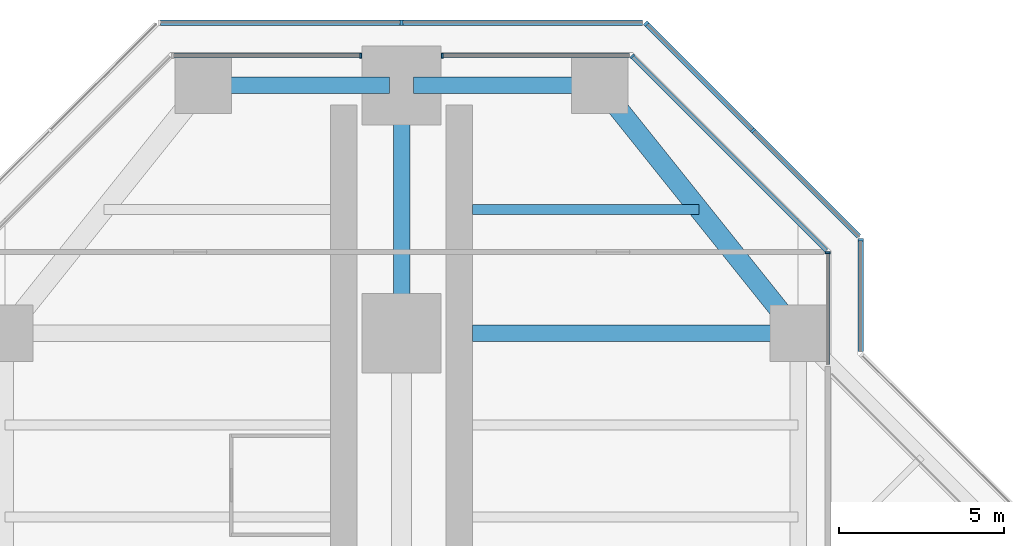
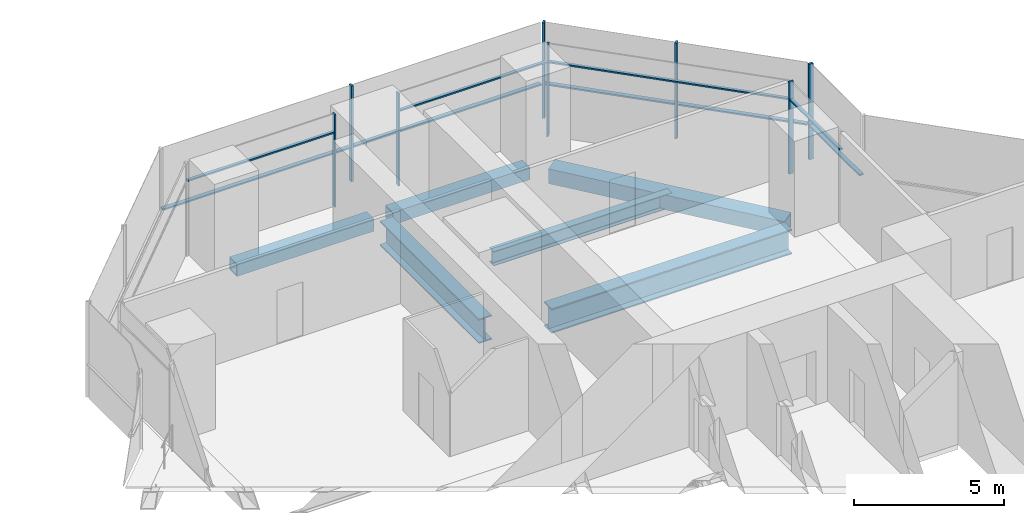
# One storey, part 10 of 19: 17 members, 6 beams, 7 elements without a shape of their own.
"""IFC4 building model written with IfcOpenShell, lengths in metres."""

from ifc_helpers import new_model, si_unit, direction, frame, origin, origin_2d, place, context, subcontext, project, spatial, rectangle, hollow_rectangle, i_section, extrude, material, material_profile, profile_set, type_object, element, aggregate, save


model = new_model("IFC4")

# Units and contexts
model_context = context("Model", 3, precision=1e-05, world=origin(), true_north=direction((0.0, 1.0)))
body_context = subcontext(model_context, "Body", "Model", "MODEL_VIEW")
ifc_project = project(units=[si_unit("LENGTHUNIT", "METRE"), si_unit("AREAUNIT", "SQUARE_METRE"), si_unit("VOLUMEUNIT", "CUBIC_METRE"), si_unit("PLANEANGLEUNIT", "RADIAN"), si_unit("MASSUNIT", "GRAM", prefix="KILO")], contexts=[model_context])

# Site, building, storey
site_placement = place(None, origin())
site = spatial("IfcSite", under=ifc_project, at=site_placement, CompositionType="ELEMENT")
building_placement = place(site_placement, origin())
building = spatial("IfcBuilding", under=site, at=building_placement, Name="Mizan Broadcast Tower", CompositionType="ELEMENT")
storey_placement = place(building_placement, frame((0.0, 0.0, 167.10009765625)))
storey = spatial("IfcBuildingStorey", under=building, at=storey_placement, Name="L38", CompositionType="ELEMENT", Elevation=167.10009765625)

# Beams
ifc_material_1 = material(Name="Steel S355", Category="steel")
ifc_material_profile_1 = material_profile(ifc_material_1, hollow_rectangle(XDim=0.5, YDim=0.5, WallThickness=0.030029296875, at=origin_2d()), Name="BOX 500x500x30")
ifc_profile_set_1 = profile_set([ifc_material_profile_1], Name="Steel S355")
beam_type_1 = type_object("IfcBeamType", Name="EDGE BEAM BOX 500x500x30", PredefinedType="SPANDREL", material=ifc_profile_set_1)
for number, where, z_axis, x_axis, name in (
    (1, (5.639892578125, 27.0, -0.380126953125), (-1.0, 0.0, 0.0), (0.0, -1.0, 0.0), "Edge beam BOX 500x500x30 L38 north arm"),
    (2, (-5.639892578125, 27.0, -0.380126953125), (1.0, 0.0, 0.0), (0.0, 1.0, 0.0), "Edge beam BOX 500x500x30 L38 north arm"),
):
    element("IfcBeam", number, at=place(storey_placement, frame(where, z_axis=z_axis, x_axis=x_axis)), inside=storey, type_object=beam_type_1, Name=name, PredefinedType="SPANDREL", context=body_context, shape_type="SweptSolid", body=[
        extrude(hollow_rectangle(XDim=0.5, YDim=0.5, WallThickness=0.030029296875, at=origin_2d()), origin(), (0.0, 0.0, 1.0), 5.27978515625),
    ])
ifc_material_2 = material(Name="Steel S355", Category="steel")
ifc_material_profile_2 = material_profile(ifc_material_2, hollow_rectangle(XDim=0.60009765625, YDim=0.60009765625, WallThickness=0.030029296875, at=origin_2d()), Name="BOX 600x600x30")
ifc_profile_set_2 = profile_set([ifc_material_profile_2], Name="Steel S355")
beam_type_2 = type_object("IfcBeamType", Name="EDGE BEAM BOX 600x600x30", PredefinedType="SPANDREL", material=ifc_profile_set_2)
beam_1_placement = place(storey_placement, frame((11.639892578125, 19.949951171875, -0.43017578125), z_axis=(-0.624673911726, 0.780885717636, 0.0), x_axis=(-0.780885717636, -0.624673911726, 0.0)))
element("IfcBeam", 3, at=beam_1_placement, inside=storey, type_object=beam_type_2, Name="Edge beam BOX 600x600x30 L38 north arm", PredefinedType="SPANDREL", context=body_context, shape_type="SweptSolid", body=[
    extrude(hollow_rectangle(XDim=0.60009765625, YDim=0.60009765625, WallThickness=0.030029296875, at=origin_2d()), origin(), (0.0, 0.0, 1.0), 8.4521484375),
])
ifc_material_3 = material(Name="Steel S460", Category="steel")
ifc_material_profile_3 = material_profile(ifc_material_3, i_section(OverallWidth=0.5, OverallDepth=1.0, WebThickness=0.02490234375, FlangeThickness=0.050048828125, at=origin_2d()), Name="WPG 1000x500")
ifc_profile_set_3 = profile_set([ifc_material_profile_3], Name="Steel S460")
beam_type_3 = type_object("IfcBeamType", Name="GIRDER WPG 1000x500", PredefinedType="BEAM", material=ifc_profile_set_3)
beam_2_placement = place(storey_placement, frame((0.0, 19.949951171875, -0.630126953125), z_axis=(0.0, 1.0, 0.0), x_axis=(-1.0, 0.0, 0.0)))
element("IfcBeam", 4, at=beam_2_placement, inside=storey, type_object=beam_type_3, Name="Girder WPG 1000x500 L38 north arm", PredefinedType="BEAM", context=body_context, shape_type="SweptSolid", body=[
    extrude(i_section(OverallWidth=0.5, OverallDepth=1.0, WebThickness=0.02490234375, FlangeThickness=0.050048828125, at=origin_2d()), origin(), (0.0, 0.0, 1.0), 6.60009765625),
])
beam_3_placement = place(storey_placement, frame((11.408935546875, 19.5, -0.630126953125), z_axis=(-1.0, 0.0, 0.0), x_axis=(0.0, -1.0, 0.0)))
element("IfcBeam", 5, at=beam_3_placement, inside=storey, type_object=beam_type_3, Name="Girder WPG 1000x500 L38 north arm", PredefinedType="BEAM", context=body_context, shape_type="SweptSolid", body=[
    extrude(i_section(OverallWidth=0.5, OverallDepth=1.0, WebThickness=0.02490234375, FlangeThickness=0.050048828125, at=origin_2d()), origin(), (0.0, 0.0, 1.0), 9.259033203125),
])

# Curtain wall, member
ifc_material_4 = material(Name="Aluminium framed glazing", Category="aluminium")
curtain_wall_type_1 = type_object("IfcCurtainWallType", Name="INNER SKIN MID ZONE", PredefinedType="USERDEFINED", material=ifc_material_4)
curtain_wall_1_placement = place(storey_placement, origin())
curtain_wall_1 = element("IfcCurtainWall", 6, at=curtain_wall_1_placement, inside=storey, type_object=curtain_wall_type_1, Name="Inner skin mid zone L38 N side", ObjectType="INNER SKIN MID ZONE", PredefinedType="USERDEFINED")
ifc_material_5 = material(Name="Aluminium, pale anodised", Category="aluminium")
ifc_material_profile_4 = material_profile(ifc_material_5, rectangle(XDim=0.159912109375, YDim=0.06005859375, at=origin_2d()), Name="MULLION 160x60")
ifc_profile_set_4 = profile_set([ifc_material_profile_4], Name="Aluminium, pale anodised")
member_type_1 = type_object("IfcMemberType", Name="INNER SKIN MULLION 60x160", PredefinedType="MULLION", material=ifc_profile_set_4)
member_1_placement = place(storey_placement, frame((12.89990234375, 21.928466796875, 0.0), z_axis=(0.0, 0.0, 1.0), x_axis=(-1.0, 0.0, 0.0)))
member_1 = element("IfcMember", 7, at=member_1_placement, type_object=member_type_1, Name="Inner skin mid zone L38 N side mullion 2", PredefinedType="MULLION", context=body_context, shape_type="SweptSolid", body=[
    extrude(rectangle(XDim=0.159912109375, YDim=0.06005859375, at=origin_2d()), origin(), (0.0, 0.0, 1.0), 3.77001953125),
])

curtain_wall_2_placement = place(storey_placement, origin())
curtain_wall_2 = element("IfcCurtainWall", 8, at=curtain_wall_2_placement, inside=storey, type_object=curtain_wall_type_1, Name="Inner skin mid zone L38 N chamfer", ObjectType="INNER SKIN MID ZONE", PredefinedType="USERDEFINED")
member_2_placement = place(storey_placement, frame((6.979736328125, 27.87890625, 0.0), z_axis=(0.0, 0.0, 1.0), x_axis=(-0.707106781187, -0.707106781187, 0.0)))
member_2 = element("IfcMember", 9, at=member_2_placement, type_object=member_type_1, Name="Inner skin mid zone L38 N chamfer mullion 2", PredefinedType="MULLION", context=body_context, shape_type="SweptSolid", body=[
    extrude(rectangle(XDim=0.159912109375, YDim=0.06005859375, at=origin_2d()), origin(), (0.0, 0.0, 1.0), 3.77001953125),
])

curtain_wall_3_placement = place(storey_placement, origin())
curtain_wall_3 = element("IfcCurtainWall", 10, at=curtain_wall_3_placement, inside=storey, type_object=curtain_wall_type_1, Name="Inner skin mid zone L38 N end", ObjectType="INNER SKIN MID ZONE", PredefinedType="USERDEFINED")
member_3_placement = place(storey_placement, frame((1.22998046875, 27.89990234375, 0.0), z_axis=(0.0, 0.0, 1.0), x_axis=(0.0, -1.0, 0.0)))
member_3 = element("IfcMember", 11, at=member_3_placement, type_object=member_type_1, Name="Inner skin mid zone L38 N end mullion 2", PredefinedType="MULLION", context=body_context, shape_type="SweptSolid", body=[
    extrude(rectangle(XDim=0.159912109375, YDim=0.06005859375, at=origin_2d()), origin(), (0.0, 0.0, 1.0), 3.77001953125),
])

curtain_wall_4_placement = place(storey_placement, origin())
curtain_wall_4 = element("IfcCurtainWall", 12, at=curtain_wall_4_placement, inside=storey, type_object=curtain_wall_type_1, Name="Inner skin mid zone L38 N end", ObjectType="INNER SKIN MID ZONE", PredefinedType="USERDEFINED")
member_4_placement = place(storey_placement, frame((-1.22998046875, 27.89990234375, 0.0), z_axis=(0.0, 0.0, 1.0), x_axis=(0.0, -1.0, 0.0)))
member_4 = element("IfcMember", 13, at=member_4_placement, type_object=member_type_1, Name="Inner skin mid zone L38 N end mullion 1", PredefinedType="MULLION", context=body_context, shape_type="SweptSolid", body=[
    extrude(rectangle(XDim=0.159912109375, YDim=0.06005859375, at=origin_2d()), origin(), (0.0, 0.0, 1.0), 3.77001953125),
])

# Member
ifc_material_6 = material(Name="Aluminium, pale anodised", Category="aluminium")
ifc_material_profile_5 = material_profile(ifc_material_6, rectangle(XDim=0.1201171875, YDim=0.06005859375, at=origin_2d()), Name="TRANSOM 120x60")
ifc_profile_set_5 = profile_set([ifc_material_profile_5], Name="Aluminium, pale anodised")
member_type_2 = type_object("IfcMemberType", Name="INNER SKIN TRANSOM 60x120", PredefinedType="USERDEFINED", material=ifc_profile_set_5)
member_5_placement = place(storey_placement, frame((12.89990234375, 18.56005859375, 3.02978515625), z_axis=(0.0, 1.0, 0.0), x_axis=(-1.0, 0.0, 0.0)))
member_5 = element("IfcMember", 14, at=member_5_placement, type_object=member_type_2, Name="Inner skin mid zone L38 N side transom 1.1", ObjectType="TRANSOM", PredefinedType="USERDEFINED", context=body_context, shape_type="SweptSolid", body=[
    extrude(rectangle(XDim=0.1201171875, YDim=0.06005859375, at=origin_2d()), origin(), (0.0, 0.0, 1.0), 3.338623046875),
])

aggregate(curtain_wall_1, [member_1, member_5])

member_6_placement = place(storey_placement, frame((12.857666015625, 22.0009765625, 3.02978515625), z_axis=(-0.707106781187, 0.707106781187, 0.0), x_axis=(-0.707106781187, -0.707106781187, 0.0)))
member_6 = element("IfcMember", 15, at=member_6_placement, type_object=member_type_2, Name="Inner skin mid zone L38 N chamfer transom 1.1", ObjectType="TRANSOM", PredefinedType="USERDEFINED", context=body_context, shape_type="SweptSolid", body=[
    extrude(rectangle(XDim=0.1201171875, YDim=0.06005859375, at=origin_2d()), origin(), (0.0, 0.0, 1.0), 8.28271484375),
])

aggregate(curtain_wall_2, [member_2, member_6])

member_7_placement = place(storey_placement, frame((6.898681640625, 27.89990234375, 3.02978515625), z_axis=(-1.0, 0.0, 0.0), x_axis=(0.0, -1.0, 0.0)))
member_7 = element("IfcMember", 16, at=member_7_placement, type_object=member_type_2, Name="Inner skin mid zone L38 N end transom 1.1", ObjectType="TRANSOM", PredefinedType="USERDEFINED", context=body_context, shape_type="SweptSolid", body=[
    extrude(rectangle(XDim=0.1201171875, YDim=0.06005859375, at=origin_2d()), origin(), (0.0, 0.0, 1.0), 5.638671875),
])

aggregate(curtain_wall_3, [member_3, member_7])

member_8_placement = place(storey_placement, frame((-1.260009765625, 27.89990234375, 3.02978515625), z_axis=(-1.0, 0.0, 0.0), x_axis=(0.0, -1.0, 0.0)))
member_8 = element("IfcMember", 17, at=member_8_placement, type_object=member_type_2, Name="Inner skin mid zone L38 N end transom 1.1", ObjectType="TRANSOM", PredefinedType="USERDEFINED", context=body_context, shape_type="SweptSolid", body=[
    extrude(rectangle(XDim=0.1201171875, YDim=0.06005859375, at=origin_2d()), origin(), (0.0, 0.0, 1.0), 5.638671875),
])

aggregate(curtain_wall_4, [member_4, member_8])

# Curtain wall, member
ifc_material_7 = material(Name="Aluminium framed glazing", Category="aluminium")
curtain_wall_type_2 = type_object("IfcCurtainWallType", Name="OUTER SKIN", PredefinedType="USERDEFINED", material=ifc_material_7)
curtain_wall_5_placement = place(storey_placement, origin())
curtain_wall_5 = element("IfcCurtainWall", 18, at=curtain_wall_5_placement, inside=storey, type_object=curtain_wall_type_2, Name="Outer skin L38 N side", ObjectType="OUTER SKIN", PredefinedType="USERDEFINED")
ifc_material_8 = material(Name="Aluminium, pale anodised", Category="aluminium")
ifc_material_profile_6 = material_profile(ifc_material_8, rectangle(XDim=0.159912109375, YDim=0.080078125, at=origin_2d()), Name="MULLION 160x80")
ifc_profile_set_6 = profile_set([ifc_material_profile_6], Name="Aluminium, pale anodised")
member_type_3 = type_object("IfcMemberType", Name="OUTER SKIN MULLION 80x160", PredefinedType="MULLION", material=ifc_profile_set_6)
member_9_placement = place(storey_placement, frame((13.89990234375, 22.332763671875, 0.0), z_axis=(0.0, 0.0, 1.0), x_axis=(-1.0, 0.0, 0.0)))
member_9 = element("IfcMember", 19, at=member_9_placement, type_object=member_type_3, Name="Outer skin L38 N side mullion 2", PredefinedType="MULLION", context=body_context, shape_type="SweptSolid", body=[
    extrude(rectangle(XDim=0.159912109375, YDim=0.080078125, at=origin_2d()), origin(), (0.0, 0.0, 1.0), 3.89990234375),
])

# Curtain wall, members
curtain_wall_6_placement = place(storey_placement, origin())
curtain_wall_6 = element("IfcCurtainWall", 20, at=curtain_wall_6_placement, inside=storey, type_object=curtain_wall_type_2, Name="Outer skin L38 N chamfer", ObjectType="OUTER SKIN", PredefinedType="USERDEFINED")
member_10_placement = place(storey_placement, frame((10.636474609375, 25.636474609375, 0.0), z_axis=(0.0, 0.0, 1.0), x_axis=(-0.707106781187, -0.707106781187, 0.0)))
member_10 = element("IfcMember", 21, at=member_10_placement, type_object=member_type_3, Name="Outer skin L38 N chamfer mullion 2", PredefinedType="MULLION", context=body_context, shape_type="SweptSolid", body=[
    extrude(rectangle(XDim=0.159912109375, YDim=0.080078125, at=origin_2d()), origin(), (0.0, 0.0, 1.0), 3.89990234375),
])
member_11_placement = place(storey_placement, frame((7.401123046875, 28.871826171875, 0.0), z_axis=(0.0, 0.0, 1.0), x_axis=(-0.707106781187, -0.707106781187, 0.0)))
member_11 = element("IfcMember", 22, at=member_11_placement, type_object=member_type_3, Name="Outer skin L38 N chamfer mullion 3", PredefinedType="MULLION", context=body_context, shape_type="SweptSolid", body=[
    extrude(rectangle(XDim=0.159912109375, YDim=0.080078125, at=origin_2d()), origin(), (0.0, 0.0, 1.0), 3.89990234375),
])

# Curtain wall, member
curtain_wall_7_placement = place(storey_placement, origin())
curtain_wall_7 = element("IfcCurtainWall", 23, at=curtain_wall_7_placement, inside=storey, type_object=curtain_wall_type_2, Name="Outer skin L38 N end", ObjectType="OUTER SKIN", PredefinedType="USERDEFINED")
member_12_placement = place(storey_placement, frame((0.0, 28.89990234375, 0.0), z_axis=(0.0, 0.0, 1.0), x_axis=(0.0, -1.0, 0.0)))
member_12 = element("IfcMember", 24, at=member_12_placement, type_object=member_type_3, Name="Outer skin L38 N end mullion 2", PredefinedType="MULLION", context=body_context, shape_type="SweptSolid", body=[
    extrude(rectangle(XDim=0.159912109375, YDim=0.080078125, at=origin_2d()), origin(), (0.0, 0.0, 1.0), 3.89990234375),
])

# Member
ifc_material_9 = material(Name="Aluminium, pale anodised", Category="aluminium")
ifc_material_profile_7 = material_profile(ifc_material_9, rectangle(XDim=0.159912109375, YDim=0.06005859375, at=origin_2d()), Name="TRANSOM 160x60")
ifc_profile_set_7 = profile_set([ifc_material_profile_7], Name="Aluminium, pale anodised")
member_type_4 = type_object("IfcMemberType", Name="OUTER SKIN TRANSOM 60x160", PredefinedType="USERDEFINED", material=ifc_profile_set_7)
member_13_placement = place(storey_placement, frame((13.89990234375, 18.952880859375, 1.39990234375), z_axis=(0.0, 1.0, 0.0), x_axis=(-1.0, 0.0, 0.0)))
member_13 = element("IfcMember", 25, at=member_13_placement, type_object=member_type_4, Name="Outer skin L38 N side transom 1.1", ObjectType="TRANSOM", PredefinedType="USERDEFINED", context=body_context, shape_type="SweptSolid", body=[
    extrude(rectangle(XDim=0.159912109375, YDim=0.06005859375, at=origin_2d()), origin(), (0.0, 0.0, 1.0), 3.33984375),
])

aggregate(curtain_wall_5, [member_9, member_13])

member_14_placement = place(storey_placement, frame((13.843505859375, 22.429443359375, 1.39990234375), z_axis=(-0.707106781187, 0.707106781187, 0.0), x_axis=(-0.707106781187, -0.707106781187, 0.0)))
member_14 = element("IfcMember", 26, at=member_14_placement, type_object=member_type_4, Name="Outer skin L38 N chamfer transom 1.1", ObjectType="TRANSOM", PredefinedType="USERDEFINED", context=body_context, shape_type="SweptSolid", body=[
    extrude(rectangle(XDim=0.159912109375, YDim=0.06005859375, at=origin_2d()), origin(), (0.0, 0.0, 1.0), 4.495361328125),
])

member_15_placement = place(storey_placement, frame((10.608154296875, 25.664794921875, 1.39990234375), z_axis=(-0.707106781187, 0.707106781187, 0.0), x_axis=(-0.707106781187, -0.707106781187, 0.0)))
member_15 = element("IfcMember", 27, at=member_15_placement, type_object=member_type_4, Name="Outer skin L38 N chamfer transom 2.1", ObjectType="TRANSOM", PredefinedType="USERDEFINED", context=body_context, shape_type="SweptSolid", body=[
    extrude(rectangle(XDim=0.159912109375, YDim=0.06005859375, at=origin_2d()), origin(), (0.0, 0.0, 1.0), 4.495361328125),
])

aggregate(curtain_wall_6, [member_10, member_11, member_14, member_15])

member_16_placement = place(storey_placement, frame((7.292724609375, 28.89990234375, 1.39990234375), z_axis=(-1.0, 0.0, 0.0), x_axis=(0.0, -1.0, 0.0)))
member_16 = element("IfcMember", 28, at=member_16_placement, type_object=member_type_4, Name="Outer skin L38 N end transom 1.1", ObjectType="TRANSOM", PredefinedType="USERDEFINED", context=body_context, shape_type="SweptSolid", body=[
    extrude(rectangle(XDim=0.159912109375, YDim=0.06005859375, at=origin_2d()), origin(), (0.0, 0.0, 1.0), 7.252685546875),
])

member_17_placement = place(storey_placement, frame((-0.0400390625, 28.89990234375, 1.39990234375), z_axis=(-1.0, 0.0, 0.0), x_axis=(0.0, -1.0, 0.0)))
member_17 = element("IfcMember", 29, at=member_17_placement, type_object=member_type_4, Name="Outer skin L38 N end transom 2.1", ObjectType="TRANSOM", PredefinedType="USERDEFINED", context=body_context, shape_type="SweptSolid", body=[
    extrude(rectangle(XDim=0.159912109375, YDim=0.06005859375, at=origin_2d()), origin(), (0.0, 0.0, 1.0), 7.252685546875),
])

aggregate(curtain_wall_7, [member_12, member_16, member_17])

# Beam
ifc_material_10 = material(Name="Steel S355", Category="steel")
ifc_material_profile_8 = material_profile(ifc_material_10, i_section(OverallWidth=0.300048828125, OverallDepth=0.590087890625, WebThickness=0.012939453125, FlangeThickness=0.02490234375, FilletRadius=0.027099609375, at=origin_2d()), Name="HEA 600")
ifc_profile_set_8 = profile_set([ifc_material_profile_8], Name="Steel S355")
beam_type_4 = type_object("IfcBeamType", Name="SECONDARY BEAM HEA 600", PredefinedType="JOIST", material=ifc_profile_set_8)
beam_4_placement = place(storey_placement, frame((9.0, 23.25, -0.425048828125), z_axis=(-1.0, 0.0, 0.0), x_axis=(0.0, -1.0, 0.0)))
element("IfcBeam", 30, at=beam_4_placement, inside=storey, type_object=beam_type_4, Name="Secondary beam HEA 600 L38 north arm", PredefinedType="JOIST", context=body_context, shape_type="SweptSolid", body=[
    extrude(i_section(OverallWidth=0.300048828125, OverallDepth=0.590087890625, WebThickness=0.012939453125, FlangeThickness=0.02490234375, FilletRadius=0.027099609375, at=origin_2d()), origin(), (0.0, 0.0, 1.0), 6.85009765625),
])

save(model, "model.ifc")
